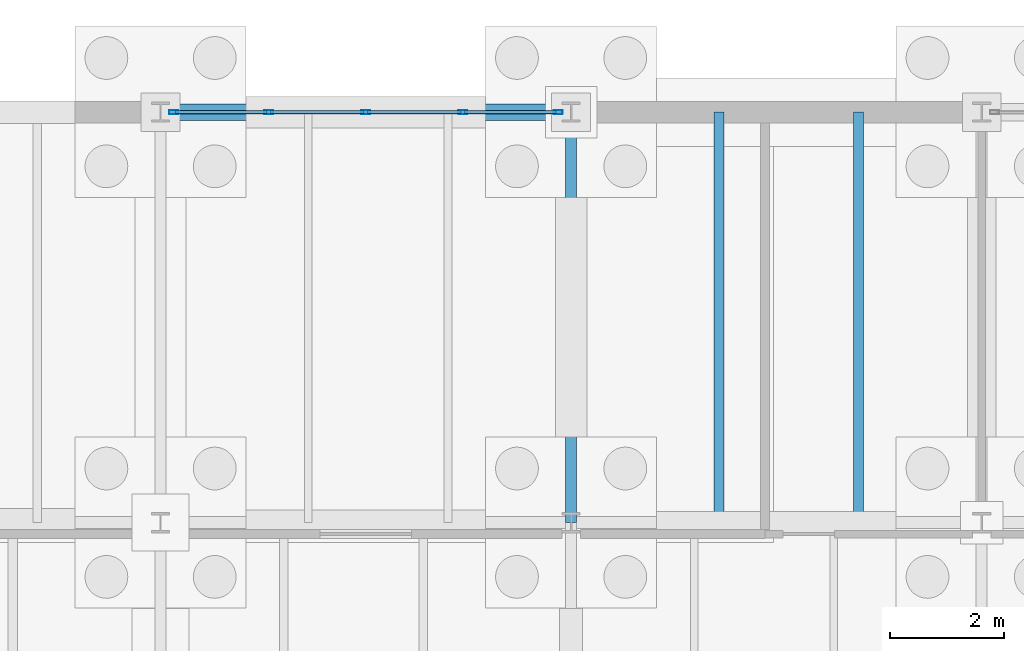
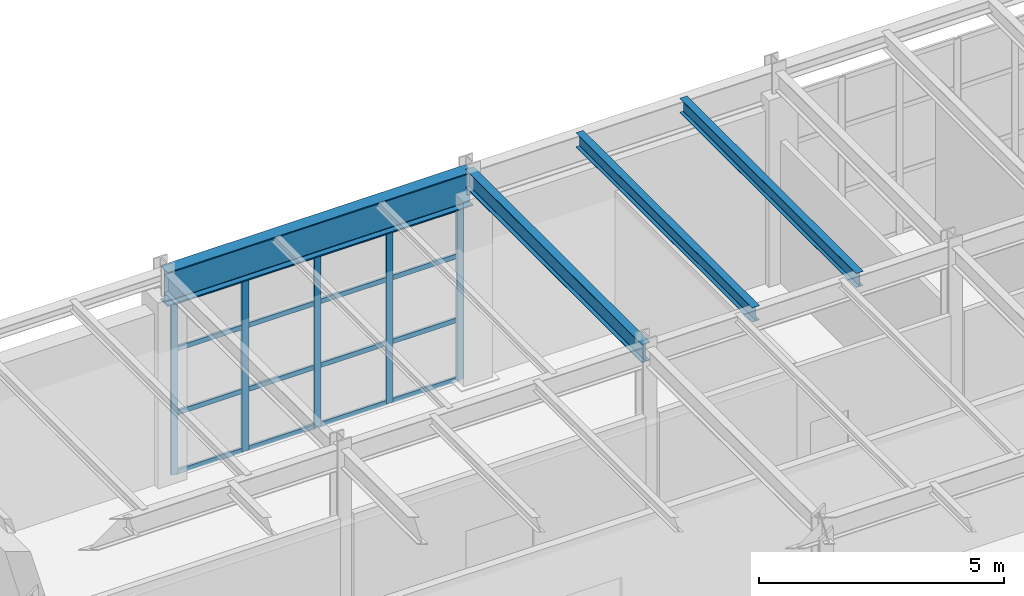
# One storey, part 78 of 293: 21 members, 4 beams, 1 element without a shape of its own.
"""IFC4 building model written with IfcOpenShell, lengths in metres."""

from ifc_helpers import new_model, si_unit, direction, frame, origin, origin_2d, place, context, subcontext, project, spatial, hollow_rectangle, i_section, extrude, material, layer, layer_set, material_profile, profile_set, type_object, element, aggregate, save


model = new_model("IFC4")

# Units and contexts
model_context = context("Model", 3, precision=1e-05, world=origin(), true_north=direction((0.0, 1.0)))
body_context = subcontext(model_context, "Body", "Model", "MODEL_VIEW")
ifc_project = project(units=[si_unit("LENGTHUNIT", "METRE"), si_unit("AREAUNIT", "SQUARE_METRE"), si_unit("VOLUMEUNIT", "CUBIC_METRE"), si_unit("PLANEANGLEUNIT", "RADIAN"), si_unit("MASSUNIT", "GRAM", prefix="KILO")], contexts=[model_context])

# Site, building, storey
site_placement = place(None, origin())
site = spatial("IfcSite", under=ifc_project, at=site_placement, CompositionType="ELEMENT")
building_placement = place(site_placement, origin())
building = spatial("IfcBuilding", under=site, at=building_placement, Name="Kemerveld Promenade Tramway Depot", CompositionType="ELEMENT")
storey_placement = place(building_placement, origin())
storey = spatial("IfcBuildingStorey", under=building, at=storey_placement, Name="L00", CompositionType="ELEMENT", Elevation=0.0)

# Beams
ifc_material_1 = material(Name="Steel S355", Category="steel")
ifc_material_profile_1 = material_profile(ifc_material_1, i_section(OverallWidth=0.293701171875, OverallDepth=0.850830078125, WebThickness=0.01611328125, FlangeThickness=0.02685546875, FilletRadius=0.017822265625, at=origin_2d()), Name="838x292x226 UB")
ifc_profile_set_1 = profile_set([ifc_material_profile_1], Name="Steel S355")
beam_type_1 = type_object("IfcBeamType", Name="BM-G01", PredefinedType="BEAM", material=ifc_profile_set_1)
beam_1_placement = place(storey_placement, frame((64.800048828125, 28.800048828125, 4.74951171875), z_axis=(1.0, 0.0, 0.0), x_axis=(0.0, 1.0, 0.0)))
element("IfcBeam", 1, at=beam_1_placement, inside=storey, type_object=beam_type_1, Name="BMX-L00-10-11-E", PredefinedType="BEAM", context=body_context, shape_type="SweptSolid", body=[
    extrude(i_section(OverallWidth=0.293701171875, OverallDepth=0.850830078125, WebThickness=0.01611328125, FlangeThickness=0.02685546875, FilletRadius=0.017822265625, at=origin_2d()), origin(), (0.0, 0.0, 1.0), 7.199951171875),
])
ifc_material_profile_2 = material_profile(ifc_material_1, i_section(OverallWidth=0.19140625, OverallDepth=0.4599609375, WebThickness=0.010009765625, FlangeThickness=0.01611328125, FilletRadius=0.01025390625, at=origin_2d()), Name="457x191x82 UB")
ifc_profile_set_2 = profile_set([ifc_material_profile_2], Name="Steel S355")
beam_type_2 = type_object("IfcBeamType", Name="BM-G06", PredefinedType="BEAM", material=ifc_profile_set_2)
beam_2_placement = place(storey_placement, frame((72.0, 21.60009765625, 4.945068359375), z_axis=(0.0, 1.0, 0.0), x_axis=(-1.0, 0.0, 0.0)))
element("IfcBeam", 2, at=beam_2_placement, inside=storey, type_object=beam_type_2, Name="BMY-L00-11-D-E", PredefinedType="BEAM", context=body_context, shape_type="SweptSolid", body=[
    extrude(i_section(OverallWidth=0.19140625, OverallDepth=0.4599609375, WebThickness=0.010009765625, FlangeThickness=0.01611328125, FilletRadius=0.01025390625, at=origin_2d()), origin(), (0.0, 0.0, 1.0), 7.199951171875),
])
ifc_material_profile_3 = material_profile(ifc_material_1, i_section(OverallWidth=0.172119140625, OverallDepth=0.35791015625, WebThickness=0.008056640625, FlangeThickness=0.012939453125, FilletRadius=0.01025390625, at=origin_2d()), Name="356x171x57 UB")
ifc_profile_set_3 = profile_set([ifc_material_profile_3], Name="Steel S355")
beam_type_3 = type_object("IfcBeamType", Name="BM-J04", PredefinedType="JOIST", material=ifc_profile_set_3)
for number, where, z_axis, x_axis, name in (
    (3, (74.592041015625, 21.60009765625, 4.99609375), (0.0, 1.0, 0.0), (-1.0, 0.0, 0.0), "JST-L00-11-D-1"),
    (4, (77.0400390625, 21.60009765625, 4.99609375), (0.0, 1.0, 0.0), (-1.0, 0.0, 0.0), "JST-L00-11-D-2"),
):
    element("IfcBeam", number, at=place(storey_placement, frame(where, z_axis=z_axis, x_axis=x_axis)), inside=storey, type_object=beam_type_3, Name=name, PredefinedType="JOIST", context=body_context, shape_type="SweptSolid", body=[
        extrude(i_section(OverallWidth=0.172119140625, OverallDepth=0.35791015625, WebThickness=0.008056640625, FlangeThickness=0.012939453125, FilletRadius=0.01025390625, at=origin_2d()), origin(), (0.0, 0.0, 1.0), 7.199951171875),
    ])

# Curtain wall, members
ifc_material_2 = material(Name="Bronze anodised aluminium and solar glass", Category="aluminium")
ifc_layer = layer(ifc_material_2, 0.159912109375)
ifc_layer_set = layer_set([ifc_layer], Name="CW-SYS-05")
curtain_wall_type = type_object("IfcCurtainWallType", Name="CW-SYS-05", PredefinedType="USERDEFINED", material=ifc_layer_set)
curtain_wall_placement = place(storey_placement, origin())
curtain_wall = element("IfcCurtainWall", 5, at=curtain_wall_placement, inside=storey, type_object=curtain_wall_type, Name="CW-L00-V4N-02", ObjectType="GLAZED_CURTAIN_WALL", PredefinedType="USERDEFINED")
ifc_material_3 = material(Name="Bronze anodised aluminium", Category="aluminium")
ifc_material_profile_4 = material_profile(ifc_material_3, hollow_rectangle(XDim=0.06494140625, YDim=0.159912109375, WallThickness=0.00390625, InnerFilletRadius=0.001953125, OuterFilletRadius=0.00390625, at=origin_2d()), Name="CW-MUL-160x65")
ifc_profile_set_4 = profile_set([ifc_material_profile_4], Name="Bronze anodised aluminium")
member_type_1 = type_object("IfcMemberType", Name="CW-MUL-A", PredefinedType="MULLION", material=ifc_profile_set_4)
member_1_placement = place(storey_placement, frame((65.02880859375, 28.800048828125, 0.0), z_axis=(0.0, 0.0, 1.0), x_axis=(0.0, 1.0, 0.0)))
member_1 = element("IfcMember", 6, at=member_1_placement, type_object=member_type_1, Name="CW05 mullion 1", PredefinedType="MULLION", context=body_context, shape_type="SweptSolid", body=[
    extrude(hollow_rectangle(XDim=0.06494140625, YDim=0.159912109375, WallThickness=0.00390625, InnerFilletRadius=0.001953125, OuterFilletRadius=0.00390625, at=origin_2d()), origin(), (0.0, 0.0, 1.0), 4.30419921875),
])
member_2_placement = place(storey_placement, frame((66.6982421875, 28.800048828125, 0.0), z_axis=(0.0, 0.0, 1.0), x_axis=(0.0, 1.0, 0.0)))
member_2 = element("IfcMember", 7, at=member_2_placement, type_object=member_type_1, Name="CW05 mullion 2", PredefinedType="MULLION", context=body_context, shape_type="SweptSolid", body=[
    extrude(hollow_rectangle(XDim=0.06494140625, YDim=0.159912109375, WallThickness=0.00390625, InnerFilletRadius=0.001953125, OuterFilletRadius=0.00390625, at=origin_2d()), origin(), (0.0, 0.0, 1.0), 4.30419921875),
])
member_3_placement = place(storey_placement, frame((68.39990234375, 28.800048828125, 0.0), z_axis=(0.0, 0.0, 1.0), x_axis=(0.0, 1.0, 0.0)))
member_3 = element("IfcMember", 8, at=member_3_placement, type_object=member_type_1, Name="CW05 mullion 3", PredefinedType="MULLION", context=body_context, shape_type="SweptSolid", body=[
    extrude(hollow_rectangle(XDim=0.06494140625, YDim=0.159912109375, WallThickness=0.00390625, InnerFilletRadius=0.001953125, OuterFilletRadius=0.00390625, at=origin_2d()), origin(), (0.0, 0.0, 1.0), 4.30419921875),
])
member_4_placement = place(storey_placement, frame((70.101806640625, 28.800048828125, 0.0), z_axis=(0.0, 0.0, 1.0), x_axis=(0.0, 1.0, 0.0)))
member_4 = element("IfcMember", 9, at=member_4_placement, type_object=member_type_1, Name="CW05 mullion 4", PredefinedType="MULLION", context=body_context, shape_type="SweptSolid", body=[
    extrude(hollow_rectangle(XDim=0.06494140625, YDim=0.159912109375, WallThickness=0.00390625, InnerFilletRadius=0.001953125, OuterFilletRadius=0.00390625, at=origin_2d()), origin(), (0.0, 0.0, 1.0), 4.30419921875),
])
member_5_placement = place(storey_placement, frame((71.771240234375, 28.800048828125, 0.0), z_axis=(0.0, 0.0, 1.0), x_axis=(0.0, 1.0, 0.0)))
member_5 = element("IfcMember", 10, at=member_5_placement, type_object=member_type_1, Name="CW05 mullion 5", PredefinedType="MULLION", context=body_context, shape_type="SweptSolid", body=[
    extrude(hollow_rectangle(XDim=0.06494140625, YDim=0.159912109375, WallThickness=0.00390625, InnerFilletRadius=0.001953125, OuterFilletRadius=0.00390625, at=origin_2d()), origin(), (0.0, 0.0, 1.0), 4.30419921875),
])
ifc_material_profile_5 = material_profile(ifc_material_3, hollow_rectangle(XDim=0.06005859375, YDim=0.1201171875, WallThickness=0.00390625, InnerFilletRadius=0.001953125, OuterFilletRadius=0.00390625, at=origin_2d()), Name="CW-TRN-120x60")
ifc_profile_set_5 = profile_set([ifc_material_profile_5], Name="Bronze anodised aluminium")
member_type_2 = type_object("IfcMemberType", Name="CW-TRN-A", PredefinedType="USERDEFINED", material=ifc_profile_set_5)
member_6_placement = place(storey_placement, frame((65.061279296875, 28.800048828125, 0.030029296875), z_axis=(1.0, 0.0, 0.0), x_axis=(0.0, 1.0, 0.0)))
member_6 = element("IfcMember", 11, at=member_6_placement, type_object=member_type_2, Name="CW05 transom 1.1", ObjectType="TRANSOM", PredefinedType="USERDEFINED", context=body_context, shape_type="SweptSolid", body=[
    extrude(hollow_rectangle(XDim=0.06005859375, YDim=0.1201171875, WallThickness=0.00390625, InnerFilletRadius=0.001953125, OuterFilletRadius=0.00390625, at=origin_2d()), origin(), (0.0, 0.0, 1.0), 1.6044921875),
])
member_7_placement = place(storey_placement, frame((65.061279296875, 28.800048828125, 1.506103515625), z_axis=(1.0, 0.0, 0.0), x_axis=(0.0, 1.0, 0.0)))
member_7 = element("IfcMember", 12, at=member_7_placement, type_object=member_type_2, Name="CW05 transom 1.2", ObjectType="TRANSOM", PredefinedType="USERDEFINED", context=body_context, shape_type="SweptSolid", body=[
    extrude(hollow_rectangle(XDim=0.06005859375, YDim=0.1201171875, WallThickness=0.00390625, InnerFilletRadius=0.001953125, OuterFilletRadius=0.00390625, at=origin_2d()), origin(), (0.0, 0.0, 1.0), 1.6044921875),
])
member_8_placement = place(storey_placement, frame((65.061279296875, 28.800048828125, 3.09912109375), z_axis=(1.0, 0.0, 0.0), x_axis=(0.0, 1.0, 0.0)))
member_8 = element("IfcMember", 13, at=member_8_placement, type_object=member_type_2, Name="CW05 transom 1.3", ObjectType="TRANSOM", PredefinedType="USERDEFINED", context=body_context, shape_type="SweptSolid", body=[
    extrude(hollow_rectangle(XDim=0.06005859375, YDim=0.1201171875, WallThickness=0.00390625, InnerFilletRadius=0.001953125, OuterFilletRadius=0.00390625, at=origin_2d()), origin(), (0.0, 0.0, 1.0), 1.6044921875),
])
member_9_placement = place(storey_placement, frame((65.061279296875, 28.800048828125, 4.274169921875), z_axis=(1.0, 0.0, 0.0), x_axis=(0.0, 1.0, 0.0)))
member_9 = element("IfcMember", 14, at=member_9_placement, type_object=member_type_2, Name="CW05 transom 1.4", ObjectType="TRANSOM", PredefinedType="USERDEFINED", context=body_context, shape_type="SweptSolid", body=[
    extrude(hollow_rectangle(XDim=0.06005859375, YDim=0.1201171875, WallThickness=0.00390625, InnerFilletRadius=0.001953125, OuterFilletRadius=0.00390625, at=origin_2d()), origin(), (0.0, 0.0, 1.0), 1.6044921875),
])
member_10_placement = place(storey_placement, frame((66.730712890625, 28.800048828125, 0.030029296875), z_axis=(1.0, 0.0, 0.0), x_axis=(0.0, 1.0, 0.0)))
member_10 = element("IfcMember", 15, at=member_10_placement, type_object=member_type_2, Name="CW05 transom 2.1", ObjectType="TRANSOM", PredefinedType="USERDEFINED", context=body_context, shape_type="SweptSolid", body=[
    extrude(hollow_rectangle(XDim=0.06005859375, YDim=0.1201171875, WallThickness=0.00390625, InnerFilletRadius=0.001953125, OuterFilletRadius=0.00390625, at=origin_2d()), origin(), (0.0, 0.0, 1.0), 1.63671875),
])
member_11_placement = place(storey_placement, frame((66.730712890625, 28.800048828125, 1.506103515625), z_axis=(1.0, 0.0, 0.0), x_axis=(0.0, 1.0, 0.0)))
member_11 = element("IfcMember", 16, at=member_11_placement, type_object=member_type_2, Name="CW05 transom 2.2", ObjectType="TRANSOM", PredefinedType="USERDEFINED", context=body_context, shape_type="SweptSolid", body=[
    extrude(hollow_rectangle(XDim=0.06005859375, YDim=0.1201171875, WallThickness=0.00390625, InnerFilletRadius=0.001953125, OuterFilletRadius=0.00390625, at=origin_2d()), origin(), (0.0, 0.0, 1.0), 1.63671875),
])
member_12_placement = place(storey_placement, frame((66.730712890625, 28.800048828125, 3.09912109375), z_axis=(1.0, 0.0, 0.0), x_axis=(0.0, 1.0, 0.0)))
member_12 = element("IfcMember", 17, at=member_12_placement, type_object=member_type_2, Name="CW05 transom 2.3", ObjectType="TRANSOM", PredefinedType="USERDEFINED", context=body_context, shape_type="SweptSolid", body=[
    extrude(hollow_rectangle(XDim=0.06005859375, YDim=0.1201171875, WallThickness=0.00390625, InnerFilletRadius=0.001953125, OuterFilletRadius=0.00390625, at=origin_2d()), origin(), (0.0, 0.0, 1.0), 1.63671875),
])
member_13_placement = place(storey_placement, frame((66.730712890625, 28.800048828125, 4.274169921875), z_axis=(1.0, 0.0, 0.0), x_axis=(0.0, 1.0, 0.0)))
member_13 = element("IfcMember", 18, at=member_13_placement, type_object=member_type_2, Name="CW05 transom 2.4", ObjectType="TRANSOM", PredefinedType="USERDEFINED", context=body_context, shape_type="SweptSolid", body=[
    extrude(hollow_rectangle(XDim=0.06005859375, YDim=0.1201171875, WallThickness=0.00390625, InnerFilletRadius=0.001953125, OuterFilletRadius=0.00390625, at=origin_2d()), origin(), (0.0, 0.0, 1.0), 1.63671875),
])
member_14_placement = place(storey_placement, frame((68.4326171875, 28.800048828125, 0.030029296875), z_axis=(1.0, 0.0, 0.0), x_axis=(0.0, 1.0, 0.0)))
member_14 = element("IfcMember", 19, at=member_14_placement, type_object=member_type_2, Name="CW05 transom 3.1", ObjectType="TRANSOM", PredefinedType="USERDEFINED", context=body_context, shape_type="SweptSolid", body=[
    extrude(hollow_rectangle(XDim=0.06005859375, YDim=0.1201171875, WallThickness=0.00390625, InnerFilletRadius=0.001953125, OuterFilletRadius=0.00390625, at=origin_2d()), origin(), (0.0, 0.0, 1.0), 1.63671875),
])
member_15_placement = place(storey_placement, frame((68.4326171875, 28.800048828125, 1.506103515625), z_axis=(1.0, 0.0, 0.0), x_axis=(0.0, 1.0, 0.0)))
member_15 = element("IfcMember", 20, at=member_15_placement, type_object=member_type_2, Name="CW05 transom 3.2", ObjectType="TRANSOM", PredefinedType="USERDEFINED", context=body_context, shape_type="SweptSolid", body=[
    extrude(hollow_rectangle(XDim=0.06005859375, YDim=0.1201171875, WallThickness=0.00390625, InnerFilletRadius=0.001953125, OuterFilletRadius=0.00390625, at=origin_2d()), origin(), (0.0, 0.0, 1.0), 1.63671875),
])
member_16_placement = place(storey_placement, frame((68.4326171875, 28.800048828125, 3.09912109375), z_axis=(1.0, 0.0, 0.0), x_axis=(0.0, 1.0, 0.0)))
member_16 = element("IfcMember", 21, at=member_16_placement, type_object=member_type_2, Name="CW05 transom 3.3", ObjectType="TRANSOM", PredefinedType="USERDEFINED", context=body_context, shape_type="SweptSolid", body=[
    extrude(hollow_rectangle(XDim=0.06005859375, YDim=0.1201171875, WallThickness=0.00390625, InnerFilletRadius=0.001953125, OuterFilletRadius=0.00390625, at=origin_2d()), origin(), (0.0, 0.0, 1.0), 1.63671875),
])
member_17_placement = place(storey_placement, frame((68.4326171875, 28.800048828125, 4.274169921875), z_axis=(1.0, 0.0, 0.0), x_axis=(0.0, 1.0, 0.0)))
member_17 = element("IfcMember", 22, at=member_17_placement, type_object=member_type_2, Name="CW05 transom 3.4", ObjectType="TRANSOM", PredefinedType="USERDEFINED", context=body_context, shape_type="SweptSolid", body=[
    extrude(hollow_rectangle(XDim=0.06005859375, YDim=0.1201171875, WallThickness=0.00390625, InnerFilletRadius=0.001953125, OuterFilletRadius=0.00390625, at=origin_2d()), origin(), (0.0, 0.0, 1.0), 1.63671875),
])
member_18_placement = place(storey_placement, frame((70.13427734375, 28.800048828125, 0.030029296875), z_axis=(1.0, 0.0, 0.0), x_axis=(0.0, 1.0, 0.0)))
member_18 = element("IfcMember", 23, at=member_18_placement, type_object=member_type_2, Name="CW05 transom 4.1", ObjectType="TRANSOM", PredefinedType="USERDEFINED", context=body_context, shape_type="SweptSolid", body=[
    extrude(hollow_rectangle(XDim=0.06005859375, YDim=0.1201171875, WallThickness=0.00390625, InnerFilletRadius=0.001953125, OuterFilletRadius=0.00390625, at=origin_2d()), origin(), (0.0, 0.0, 1.0), 1.6044921875),
])
member_19_placement = place(storey_placement, frame((70.13427734375, 28.800048828125, 1.506103515625), z_axis=(1.0, 0.0, 0.0), x_axis=(0.0, 1.0, 0.0)))
member_19 = element("IfcMember", 24, at=member_19_placement, type_object=member_type_2, Name="CW05 transom 4.2", ObjectType="TRANSOM", PredefinedType="USERDEFINED", context=body_context, shape_type="SweptSolid", body=[
    extrude(hollow_rectangle(XDim=0.06005859375, YDim=0.1201171875, WallThickness=0.00390625, InnerFilletRadius=0.001953125, OuterFilletRadius=0.00390625, at=origin_2d()), origin(), (0.0, 0.0, 1.0), 1.6044921875),
])
member_20_placement = place(storey_placement, frame((70.13427734375, 28.800048828125, 3.09912109375), z_axis=(1.0, 0.0, 0.0), x_axis=(0.0, 1.0, 0.0)))
member_20 = element("IfcMember", 25, at=member_20_placement, type_object=member_type_2, Name="CW05 transom 4.3", ObjectType="TRANSOM", PredefinedType="USERDEFINED", context=body_context, shape_type="SweptSolid", body=[
    extrude(hollow_rectangle(XDim=0.06005859375, YDim=0.1201171875, WallThickness=0.00390625, InnerFilletRadius=0.001953125, OuterFilletRadius=0.00390625, at=origin_2d()), origin(), (0.0, 0.0, 1.0), 1.6044921875),
])
member_21_placement = place(storey_placement, frame((70.13427734375, 28.800048828125, 4.274169921875), z_axis=(1.0, 0.0, 0.0), x_axis=(0.0, 1.0, 0.0)))
member_21 = element("IfcMember", 26, at=member_21_placement, type_object=member_type_2, Name="CW05 transom 4.4", ObjectType="TRANSOM", PredefinedType="USERDEFINED", context=body_context, shape_type="SweptSolid", body=[
    extrude(hollow_rectangle(XDim=0.06005859375, YDim=0.1201171875, WallThickness=0.00390625, InnerFilletRadius=0.001953125, OuterFilletRadius=0.00390625, at=origin_2d()), origin(), (0.0, 0.0, 1.0), 1.6044921875),
])
aggregate(curtain_wall, [member_1, member_2, member_3, member_4, member_5, member_6, member_7, member_8, member_9, member_10, member_11, member_12, member_13, member_14, member_15, member_16, member_17, member_18, member_19, member_20, member_21])

save(model, "model.ifc")
